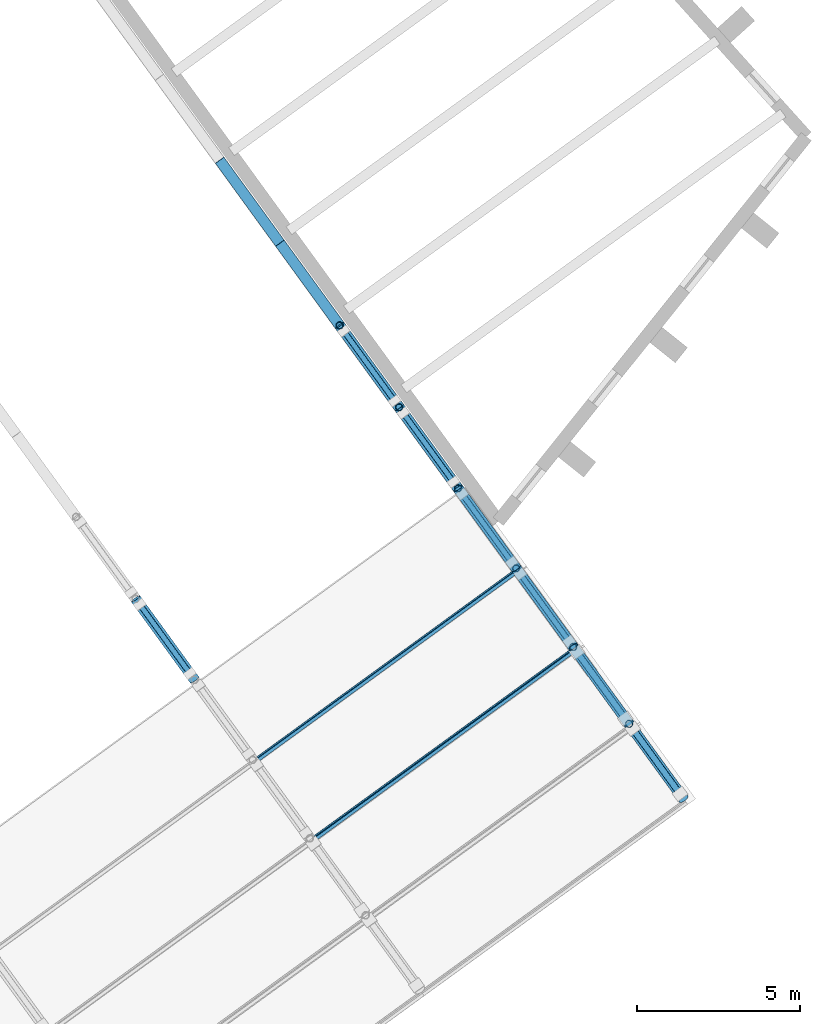
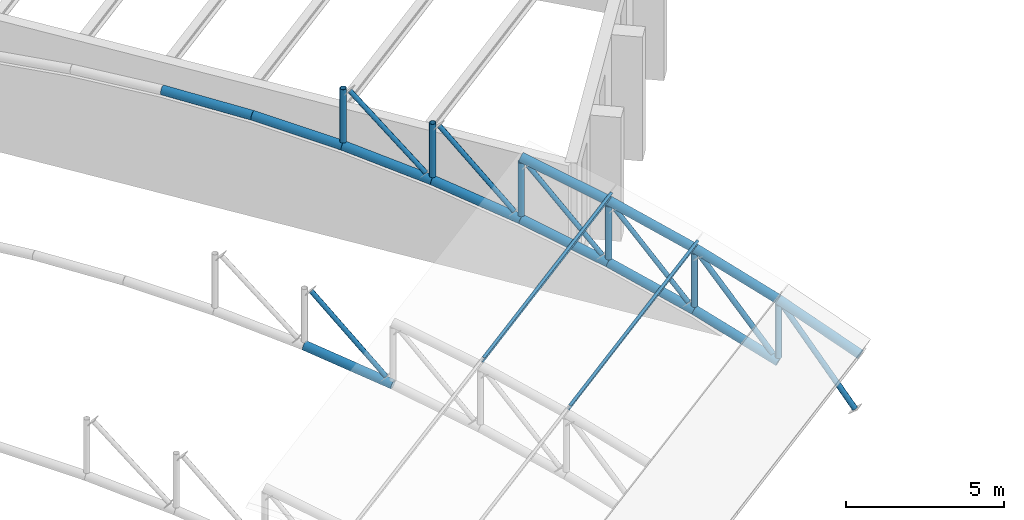
# One storey, part 32 of 69: 25 members, 2 beams.
"""IFC4 building model written with IfcOpenShell, lengths in metres."""

import ifcopenshell
import ifcopenshell.guid

model = None  # the IFC model being written
_history = None  # IfcOwnerHistory: only IFC2X3 demands one
_inside = {}  # id of a spatial element -> (the spatial element, [elements in it])
_under = {}  # id of a project, library or spatial element -> (it, [spatial elements below it])
_declared = {}  # id of a project -> (the project, [libraries it declares])
_typed = {}  # id of a type object -> (the type object, [elements of that type])
_made_of = {}  # id of a material, layer set ... -> (it, [elements and type objects made of it])


def new_model(schema):
    """Start an empty IFC model of exactly this schema.

    Asked for "IFC4X3", IfcOpenShell would pick the latest addendum, in which some entities
    have other attributes; the version numbers below select the first issue.
    IFC2X3 requires an IfcOwnerHistory on every rooted entity: one is made here for all.
    """
    global model, _history
    if schema == "IFC4X3":
        model = ifcopenshell.file(schema_version=(4, 3, 0, 0))
    else:
        model = ifcopenshell.file(schema=schema)
    _inside.clear()
    _under.clear()
    _declared.clear()
    _typed.clear()
    _made_of.clear()
    _history = None
    if model.schema == "IFC2X3":
        org = make("IfcOrganization", Name="unknown")
        user = make(
            "IfcPersonAndOrganization",
            ThePerson=make("IfcPerson", FamilyName="unknown"),
            TheOrganization=org,
        )
        app = make(
            "IfcApplication",
            ApplicationDeveloper=org,
            Version="unknown",
            ApplicationFullName="unknown",
            ApplicationIdentifier="unknown",
        )
        _history = make(
            "IfcOwnerHistory",
            OwningUser=user,
            OwningApplication=app,
            ChangeAction="ADDED",
            CreationDate=0,
        )
    return model


def make(cls, **values):
    """One entity of the class cls with the attributes given. An attribute that is None is left unset."""
    return model.create_entity(
        cls, **{name: value for name, value in values.items() if value is not None}
    )


def rooted(cls, **values):
    """An entity with a GlobalId (a new one), such as an element, a storey or a relation."""
    return make(cls, GlobalId=ifcopenshell.guid.new(), OwnerHistory=_history, **values)


def si_unit(unit_type, name, prefix=None):
    """IfcSIUnit, for example si_unit("LENGTHUNIT", "METRE", prefix="MILLI")."""
    return make("IfcSIUnit", UnitType=unit_type, Prefix=prefix, Name=name)


def assignment(units):
    """IfcUnitAssignment: the units of a project."""
    return None if units is None else make("IfcUnitAssignment", Units=units)


def point(xyz):
    """IfcCartesianPoint."""
    return None if xyz is None else make("IfcCartesianPoint", Coordinates=xyz)


def direction(xyz):
    """IfcDirection."""
    return None if xyz is None else make("IfcDirection", DirectionRatios=xyz)


def frame(location, z_axis=None, x_axis=None):
    """IfcAxis2Placement3D, a coordinate frame: its origin and axes. An axis left out is left unset."""
    return make(
        "IfcAxis2Placement3D",
        Location=point(location),
        Axis=direction(z_axis),
        RefDirection=direction(x_axis),
    )


def frame_2d(location, x_axis=None):
    """IfcAxis2Placement2D, a coordinate frame in the plane: its origin and x axis."""
    return make(
        "IfcAxis2Placement2D", Location=point(location), RefDirection=direction(x_axis)
    )


def origin():
    """The frame at (0, 0, 0) with its axes left unset."""
    return frame((0.0, 0.0, 0.0))


def origin_2d():
    """The frame at (0, 0) in the plane with its x axis left unset."""
    return frame_2d((0.0, 0.0))


def place(relative_to, where):
    """IfcLocalPlacement: puts the frame where relative to a parent placement (None: the world)."""
    return make(
        "IfcLocalPlacement", PlacementRelTo=relative_to, RelativePlacement=where
    )


def context(
    kind, dimensions, precision=None, world=None, true_north=None, identifier=None
):
    """IfcGeometricRepresentationContext, for example the 3D "Model" context."""
    return make(
        "IfcGeometricRepresentationContext",
        ContextIdentifier=identifier,
        ContextType=kind,
        CoordinateSpaceDimension=dimensions,
        Precision=precision,
        WorldCoordinateSystem=world,
        TrueNorth=true_north,
    )


def subcontext(parent, identifier, kind, view, scale=None):
    """IfcGeometricRepresentationSubContext, for example "Body" below "Model"."""
    return make(
        "IfcGeometricRepresentationSubContext",
        ContextIdentifier=identifier,
        ContextType=kind,
        ParentContext=parent,
        TargetScale=scale,
        TargetView=view,
    )


def project(units=None, contexts=None):
    """IfcProject with its units and contexts."""
    return rooted(
        "IfcProject",
        Name="project",
        RepresentationContexts=contexts,
        UnitsInContext=assignment(units),
    )


def spatial(cls, under=None, at=None, **own):
    """A site, building, storey or space (cls), placed at a placement, below another one or the project."""
    s = rooted(cls, ObjectPlacement=at, **own)
    if under is not None:
        _under.setdefault(under.id(), (under, []))[1].append(s)
    return s


def profile(cls, at=None, kind="AREA", **sizes):
    """A parametric profile (cls). Its sizes go by their IFC names, for example OverallWidth=200.0."""
    return make(cls, ProfileType=kind, Position=at, **sizes)


def hollow_circle(**sizes):
    """IfcCircleHollowProfileDef."""
    return profile("IfcCircleHollowProfileDef", **sizes)


def i_section(**sizes):
    """IfcIShapeProfileDef."""
    return profile("IfcIShapeProfileDef", **sizes)


def extrude(swept, where, along, depth):
    """IfcExtrudedAreaSolid: the profile swept, set in the frame where, extruded along a direction by depth."""
    return make(
        "IfcExtrudedAreaSolid",
        SweptArea=swept,
        Position=where,
        ExtrudedDirection=direction(along),
        Depth=depth,
    )


def shape(context_of_items, identifier, shape_type, items):
    """IfcShapeRepresentation: the items that make up one representation, for example the "Body"."""
    return make(
        "IfcShapeRepresentation",
        ContextOfItems=context_of_items,
        RepresentationIdentifier=identifier,
        RepresentationType=shape_type,
        Items=items,
    )


def material(Name=None, Category=None):
    """IfcMaterial."""
    return make("IfcMaterial", Name=Name, Category=Category)


def material_profile(
    of_material, cross_section, Name=None, Category=None, Priority=None
):
    """IfcMaterialProfile: a cross section and its material."""
    return make(
        "IfcMaterialProfile",
        Name=Name,
        Material=of_material,
        Profile=cross_section,
        Priority=Priority,
        Category=Category,
    )


def profile_set(profiles, Name=None, composite=None):
    """IfcMaterialProfileSet."""
    return make(
        "IfcMaterialProfileSet",
        Name=Name,
        MaterialProfiles=profiles,
        CompositeProfile=composite,
    )


def made_of(thing, what):
    """Note that an element or type object is made of a material, layer set ...; save() writes the relation."""
    if what is not None:
        _made_of.setdefault(what.id(), (what, []))[1].append(thing)
    return thing


def type_object(cls, material=None, **own):
    """A type object (cls), such as IfcWallType, which elements share."""
    return made_of(rooted(cls, **own), material)


def element(
    cls,
    number,
    at=None,
    inside=None,
    cuts=None,
    type_object=None,
    material=None,
    context=None,
    identifier="Body",
    shape_type=None,
    held_by="IfcProductDefinitionShape",
    body=None,
    shapes=None,
    **own,
):
    """One element of the class cls, such as IfcWall. Its Tag is "e" and its number.

    at: its placement. inside: the storey or other place that contains it. cuts: it is an
    opening in that element (IfcRelVoidsElement). A single representation is given by context,
    identifier, shape_type and body (its items); several are given by shapes. held_by: the class
    of the entity that holds the representations. save() writes the other relations.
    """
    e = rooted(cls, Tag="e%d" % number, ObjectPlacement=at, **own)
    if body is not None:
        shapes = [shape(context, identifier, shape_type, body)]
    if shapes is not None:
        e.Representation = make(held_by, Representations=shapes)
    if inside is not None:
        _inside.setdefault(inside.id(), (inside, []))[1].append(e)
    if cuts is not None:
        rooted(
            "IfcRelVoidsElement", RelatingBuildingElement=cuts, RelatedOpeningElement=e
        )
    if type_object is not None:
        _typed.setdefault(type_object.id(), (type_object, []))[1].append(e)
    return made_of(e, material)


def aggregate(whole, parts):
    """IfcRelAggregates: a whole, such as a stair, and the parts it consists of."""
    return rooted("IfcRelAggregates", RelatingObject=whole, RelatedObjects=parts)


def save(model, path):
    """Write the relations noted so far, then the file.

    IfcRelAggregates (storeys below a building ...), IfcRelContainedInSpatialStructure (elements
    in a storey), IfcRelDefinesByType, IfcRelAssociatesMaterial and IfcRelDeclares: one each for
    every whole, place, type object, material and project.
    """
    for whole, parts in _under.values():
        aggregate(whole, parts)
    for where, things in _inside.values():
        rooted(
            "IfcRelContainedInSpatialStructure",
            RelatedElements=things,
            RelatingStructure=where,
        )
    for kind, things in _typed.values():
        rooted("IfcRelDefinesByType", RelatedObjects=things, RelatingType=kind)
    for what, things in _made_of.values():
        rooted("IfcRelAssociatesMaterial", RelatedObjects=things, RelatingMaterial=what)
    for by, libraries in _declared.values():
        rooted("IfcRelDeclares", RelatingContext=by, RelatedDefinitions=libraries)
    model.write(path)


model = new_model("IFC4")

# Units and contexts
model_context = context("Model", 3, precision=1e-05, world=origin(), true_north=direction((0.0, 1.0)))
body_context = subcontext(model_context, "Body", "Model", "MODEL_VIEW")
ifc_project = project(units=[si_unit("LENGTHUNIT", "METRE"), si_unit("AREAUNIT", "SQUARE_METRE"), si_unit("VOLUMEUNIT", "CUBIC_METRE"), si_unit("PLANEANGLEUNIT", "RADIAN"), si_unit("MASSUNIT", "GRAM", prefix="KILO")], contexts=[model_context])

# Site, building, storey
site_placement = place(None, origin())
site = spatial("IfcSite", under=ifc_project, at=site_placement, CompositionType="ELEMENT")
building_placement = place(site_placement, origin())
building = spatial("IfcBuilding", under=site, at=building_placement, Name="Okhra Congress Centre", CompositionType="ELEMENT")
storey_placement = place(building_placement, frame((0.0, 0.0, 16.800048828125)))
storey = spatial("IfcBuildingStorey", under=building, at=storey_placement, Name="L03", CompositionType="ELEMENT", Elevation=16.800048828125)

# Members
ifc_material_1 = material(Name="Steel S355J2H", Category="steel")
ifc_material_profile_1 = material_profile(ifc_material_1, hollow_circle(Radius=0.084228515625, WallThickness=0.00634765625, at=origin_2d()), Name="CHS 168.3x6.3")
ifc_profile_set_1 = profile_set([ifc_material_profile_1], Name="Steel S355J2H")
member_type_1 = type_object("IfcMemberType", Name="CHS 168.3x6.3", PredefinedType="BRACE", material=ifc_profile_set_1)
member_1_placement = place(storey_placement, frame((261.56591796875, 197.46630859375, 2.67236328125), z_axis=(-0.418384895313, 0.575888221671, 0.702358053641), x_axis=(-0.809031950979, -0.587764665742, 0.0)))
element("IfcMember", 1, at=member_1_placement, inside=storey, type_object=member_type_1, Name="Truss 6 diagonal 6", PredefinedType="BRACE", context=body_context, shape_type="SweptSolid", body=[
    extrude(hollow_circle(Radius=0.084228515625, WallThickness=0.00634765625, at=origin_2d()), origin(), (0.0, 0.0, 1.0), 3.658203125),
])
member_2_placement = place(storey_placement, frame((273.208740234375, 198.454345703125, 0.876220703125), z_axis=(-0.388305830606, 0.534492302501, 0.750690722258), x_axis=(-0.809035390265, -0.587759931689, 0.0)))
element("IfcMember", 2, at=member_2_placement, inside=storey, type_object=member_type_1, Name="Truss 7 diagonal 4", PredefinedType="BRACE", context=body_context, shape_type="SweptSolid", body=[
    extrude(hollow_circle(Radius=0.084228515625, WallThickness=0.00634765625, at=origin_2d()), origin(), (0.0, 0.0, 1.0), 3.8427734375),
])
member_3_placement = place(storey_placement, frame((271.4482421875, 200.87744140625, 1.861572265625), z_axis=(-0.403551525379, 0.555476805522, 0.727043110752), x_axis=(-0.809034999426, -0.587760469668, 0.0)))
element("IfcMember", 3, at=member_3_placement, inside=storey, type_object=member_type_1, Name="Truss 7 diagonal 5", PredefinedType="BRACE", context=body_context, shape_type="SweptSolid", body=[
    extrude(hollow_circle(Radius=0.084228515625, WallThickness=0.00634765625, at=origin_2d()), origin(), (0.0, 0.0, 1.0), 3.75390625),
])
member_4_placement = place(storey_placement, frame((269.65625, 203.34423828125, 2.67236328125), z_axis=(-0.418439949368, 0.575872140845, 0.702338441331), x_axis=(-0.808987367589, -0.587826027904, 0.0)))
element("IfcMember", 4, at=member_4_placement, inside=storey, type_object=member_type_1, Name="Truss 7 diagonal 6", PredefinedType="BRACE", context=body_context, shape_type="SweptSolid", body=[
    extrude(hollow_circle(Radius=0.084228515625, WallThickness=0.00634765625, at=origin_2d()), origin(), (0.0, 0.0, 1.0), 3.658203125),
])
member_5_placement = place(storey_placement, frame((267.848388671875, 205.83251953125, 3.290283203125), z_axis=(-0.432852970134, 0.595735556437, 0.676562970494), x_axis=(-0.80900036382, -0.587808141607, 0.0)))
element("IfcMember", 5, at=member_5_placement, inside=storey, type_object=member_type_1, Name="Truss 7 diagonal 7", PredefinedType="BRACE", context=body_context, shape_type="SweptSolid", body=[
    extrude(hollow_circle(Radius=0.084228515625, WallThickness=0.00634765625, at=origin_2d()), origin(), (0.0, 0.0, 1.0), 3.579345703125),
])
ifc_material_profile_2 = material_profile(ifc_material_1, hollow_circle(Radius=0.096923828125, WallThickness=0.010009765625, at=origin_2d()), Name="CHS 193.7x10")
ifc_profile_set_2 = profile_set([ifc_material_profile_2], Name="Steel S355J2H")
member_type_2 = type_object("IfcMemberType", Name="CHS 193.7x10", PredefinedType="BRACE", material=ifc_profile_set_2)
member_6_placement = place(storey_placement, frame((276.612548828125, 193.769287109375, -1.60595703125), z_axis=(-0.356733759557, 0.491066127645, 0.794729565998), x_axis=(-0.809053553672, -0.587734929446, 0.0)))
element("IfcMember", 6, at=member_6_placement, inside=storey, type_object=member_type_2, Name="Truss 7 diagonal 2", PredefinedType="BRACE", context=body_context, shape_type="SweptSolid", body=[
    extrude(hollow_circle(Radius=0.096923828125, WallThickness=0.010009765625, at=origin_2d()), origin(), (0.0, 0.0, 1.0), 4.052978515625),
])
member_7_placement = place(storey_placement, frame((274.93212890625, 196.082275390625, -0.28076171875), z_axis=(-0.372740344198, 0.513058131936, 0.773198544399), x_axis=(-0.80903064743, -0.587766460015, 0.0)))
element("IfcMember", 7, at=member_7_placement, inside=storey, type_object=member_type_2, Name="Truss 7 diagonal 3", PredefinedType="BRACE", context=body_context, shape_type="SweptSolid", body=[
    extrude(hollow_circle(Radius=0.096923828125, WallThickness=0.010009765625, at=origin_2d()), origin(), (0.0, 0.0, 1.0), 3.954833984375),
])
ifc_material_profile_3 = material_profile(ifc_material_1, hollow_circle(Radius=0.109619140625, WallThickness=0.008056640625, at=origin_2d()), Name="CHS 219.1x8")
ifc_profile_set_3 = profile_set([ifc_material_profile_3], Name="Steel S355J2H")
member_type_3 = type_object("IfcMemberType", Name="CHS 219.1x8", PredefinedType="POST", material=ifc_profile_set_3)
member_8_placement = place(storey_placement, frame((275.052978515625, 195.916015625, -0.353271484375), z_axis=(0.0, 0.0, 1.0), x_axis=(1.0, 0.0, 0.0)))
element("IfcMember", 8, at=member_8_placement, inside=storey, type_object=member_type_3, Name="Truss 7 post 2", PredefinedType="POST", context=body_context, shape_type="SweptSolid", body=[
    extrude(hollow_circle(Radius=0.109619140625, WallThickness=0.008056640625, at=origin_2d()), origin(), (0.0, 0.0, 1.0), 2.043212890625),
])
member_9_placement = place(storey_placement, frame((273.337158203125, 198.277587890625, 0.80224609375), z_axis=(0.0, 0.0, 1.0), x_axis=(1.0, 0.0, 0.0)))
element("IfcMember", 9, at=member_9_placement, inside=storey, type_object=member_type_3, Name="Truss 7 post 3", PredefinedType="POST", context=body_context, shape_type="SweptSolid", body=[
    extrude(hollow_circle(Radius=0.109619140625, WallThickness=0.008056640625, at=origin_2d()), origin(), (0.0, 0.0, 1.0), 2.05126953125),
])
member_10_placement = place(storey_placement, frame((271.58447265625, 200.68994140625, 1.787109375), z_axis=(0.0, 0.0, 1.0), x_axis=(1.0, 0.0, 0.0)))
element("IfcMember", 10, at=member_10_placement, inside=storey, type_object=member_type_3, Name="Truss 7 post 4", PredefinedType="POST", context=body_context, shape_type="SweptSolid", body=[
    extrude(hollow_circle(Radius=0.109619140625, WallThickness=0.008056640625, at=origin_2d()), origin(), (0.0, 0.0, 1.0), 2.057861328125),
])
member_11_placement = place(storey_placement, frame((269.80126953125, 203.14453125, 2.597412109375), z_axis=(0.0, 0.0, 1.0), x_axis=(1.0, 0.0, 0.0)))
element("IfcMember", 11, at=member_11_placement, inside=storey, type_object=member_type_3, Name="Truss 7 post 5", PredefinedType="POST", context=body_context, shape_type="SweptSolid", body=[
    extrude(hollow_circle(Radius=0.109619140625, WallThickness=0.008056640625, at=origin_2d()), origin(), (0.0, 0.0, 1.0), 2.063232421875),
])
member_12_placement = place(storey_placement, frame((267.992919921875, 205.63330078125, 3.230712890625), z_axis=(0.0, 0.0, 1.0), x_axis=(1.0, 0.0, 0.0)))
element("IfcMember", 12, at=member_12_placement, inside=storey, type_object=member_type_3, Name="Truss 7 post 6", PredefinedType="POST", context=body_context, shape_type="SweptSolid", body=[
    extrude(hollow_circle(Radius=0.109619140625, WallThickness=0.008056640625, at=origin_2d()), origin(), (0.0, 0.0, 1.0), 2.067138671875),
])
member_13_placement = place(storey_placement, frame((266.166259765625, 208.147705078125, 3.6845703125), z_axis=(0.0, 0.0, 1.0), x_axis=(1.0, 0.0, 0.0)))
element("IfcMember", 13, at=member_13_placement, inside=storey, type_object=member_type_3, Name="Truss 7 post 7", PredefinedType="POST", context=body_context, shape_type="SweptSolid", body=[
    extrude(hollow_circle(Radius=0.109619140625, WallThickness=0.008056640625, at=origin_2d()), origin(), (0.0, 0.0, 1.0), 2.06982421875),
])
ifc_material_profile_4 = material_profile(ifc_material_1, hollow_circle(Radius=0.161865234375, WallThickness=0.012451171875, at=origin_2d()), Name="CHS 323.9x12.5")
ifc_profile_set_4 = profile_set([ifc_material_profile_4], Name="Steel S355J2H")
member_type_4 = type_object("IfcMemberType", Name="CHS 323.9x12.5", PredefinedType="CHORD", material=ifc_profile_set_4)
for number, where, z_axis, x_axis, name in (
    (14, (261.7109375, 197.2666015625, 2.428955078125), (-0.575620603169, 0.792313857508, 0.202236674243), (-0.80903112876, -0.587765797488, 0.0), "Truss 6 bottom chord 6"),
    (15, (276.726318359375, 193.61279296875, 0.540771484375), (-0.532714364208, 0.733240051348, 0.42258068255), (-0.809025240298, -0.587773902586, 0.0), "Truss 7 top chord 2"),
    (16, (275.052978515625, 195.916015625, -0.53173828125), (-0.546265295886, 0.751853188262, 0.369203209371), (-0.80901086452, -0.587793689222, 0.0), "Truss 7 bottom chord 3"),
    (17, (275.052978515625, 195.916015625, 1.8681640625), (-0.546249618706, 0.751831610948, 0.369270338428), (-0.80901086452, -0.587793689222, 0.0), "Truss 7 top chord 3"),
):
    element("IfcMember", number, at=place(storey_placement, frame(where, z_axis=z_axis, x_axis=x_axis)), inside=storey, type_object=member_type_4, Name=name, PredefinedType="CHORD", context=body_context, shape_type="SweptSolid", body=[
        extrude(hollow_circle(Radius=0.161865234375, WallThickness=0.012451171875, at=origin_2d()), origin(), (0.0, 0.0, 1.0), 3.14111328125),
    ])
for number, where, z_axis, x_axis, name in (
    (18, (273.337158203125, 198.277587890625, 0.6279296875), (-0.557954547664, 0.767954991708, 0.314534343836), (-0.809015698609, -0.587787035757, 0.0), "Truss 7 bottom chord 4"),
    (19, (273.337158203125, 198.277587890625, 3.028076171875), (-0.557954547664, 0.767954991708, 0.314534343836), (-0.809015698609, -0.587787035757, 0.0), "Truss 7 top chord 4"),
):
    element("IfcMember", number, at=place(storey_placement, frame(where, z_axis=z_axis, x_axis=x_axis)), inside=storey, type_object=member_type_4, Name=name, PredefinedType="CHORD", context=body_context, shape_type="SweptSolid", body=[
        extrude(hollow_circle(Radius=0.161865234375, WallThickness=0.012451171875, at=origin_2d()), origin(), (0.0, 0.0, 1.0), 3.141357421875),
    ])
for number, where, z_axis, x_axis, name in (
    (20, (271.58447265625, 200.68994140625, 1.615966796875), (-0.567721342832, 0.781471848416, 0.258832430398), (-0.809042194464, -0.587750565781, 0.0), "Truss 7 bottom chord 5"),
    (21, (271.58447265625, 200.68994140625, 4.01611328125), (-0.567721342832, 0.781471848416, 0.258832430398), (-0.809042194464, -0.587750565781, 0.0), "Truss 7 top chord 5"),
):
    element("IfcMember", number, at=place(storey_placement, frame(where, z_axis=z_axis, x_axis=x_axis)), inside=storey, type_object=member_type_4, Name=name, PredefinedType="CHORD", context=body_context, shape_type="SweptSolid", body=[
        extrude(hollow_circle(Radius=0.161865234375, WallThickness=0.012451171875, at=origin_2d()), origin(), (0.0, 0.0, 1.0), 3.140869140625),
    ])
member_14_placement = place(storey_placement, frame((269.80126953125, 203.14453125, 2.428955078125), z_axis=(-0.575672570381, 0.792278409945, 0.202227626317), x_axis=(-0.808993389874, -0.587817739729, 0.0)))
element("IfcMember", 22, at=member_14_placement, inside=storey, type_object=member_type_4, Name="Truss 7 bottom chord 6", PredefinedType="CHORD", context=body_context, shape_type="SweptSolid", body=[
    extrude(hollow_circle(Radius=0.161865234375, WallThickness=0.012451171875, at=origin_2d()), origin(), (0.0, 0.0, 1.0), 3.141357421875),
])
for number, where, z_axis, x_axis, name in (
    (23, (267.992919921875, 205.63330078125, 3.064208984375), (-0.581543271945, 0.800496412425, 0.144958326942), (-0.809041704036, -0.587751240858, 0.0), "Truss 7 bottom chord 7"),
    (24, (266.166259765625, 208.147705078125, 3.51953125), (-0.585574378555, 0.805922581794, 0.087128866254), (-0.808999165888, -0.587809790317, 0.0), "Truss 7 bottom chord 8"),
):
    element("IfcMember", number, at=place(storey_placement, frame(where, z_axis=z_axis, x_axis=x_axis)), inside=storey, type_object=member_type_4, Name=name, PredefinedType="CHORD", context=body_context, shape_type="SweptSolid", body=[
        extrude(hollow_circle(Radius=0.161865234375, WallThickness=0.012451171875, at=origin_2d()), origin(), (0.0, 0.0, 1.0), 3.14111328125),
    ])
member_15_placement = place(storey_placement, frame((264.326904296875, 210.67919921875, 3.793212890625), z_axis=(-0.587553427849, 0.808663150366, 0.029066796563), x_axis=(-0.809004978104, -0.587801790915, 0.0)))
element("IfcMember", 25, at=member_15_placement, inside=storey, type_object=member_type_4, Name="Truss 7 bottom chord 9", PredefinedType="CHORD", context=body_context, shape_type="SweptSolid", body=[
    extrude(hollow_circle(Radius=0.161865234375, WallThickness=0.012451171875, at=origin_2d()), origin(), (0.0, 0.0, 1.0), 3.141357421875),
])

# Beams
ifc_material_2 = material(Name="Steel S355J2", Category="steel")
ifc_material_profile_5 = material_profile(ifc_material_2, i_section(OverallWidth=0.10009765625, OverallDepth=0.199951171875, WebThickness=0.005615234375, FlangeThickness=0.008544921875, FilletRadius=0.011962890625, at=origin_2d()), Name="IPE 200")
ifc_profile_set_5 = profile_set([ifc_material_profile_5], Name="Steel S355J2")
beam_type = type_object("IfcBeamType", Name="IPE 200", PredefinedType="BEAM", material=ifc_profile_set_5)
for number, where, z_axis, x_axis, name in (
    (26, (265.299072265625, 192.328125, 3.271240234375), (0.809010490052, 0.58779420462, 0.0), (-0.552345876622, 0.760221187641, 0.342020143326), "Purlin 4.24"),
    (27, (263.5380859375, 194.751953125, 4.26416015625), (0.809010490052, 0.58779420462, 0.0), (-0.563100683425, 0.775023564822, 0.286803232717), "Purlin 5.30"),
):
    element("IfcBeam", number, at=place(storey_placement, frame(where, z_axis=z_axis, x_axis=x_axis)), inside=storey, type_object=beam_type, Name=name, PredefinedType="BEAM", context=body_context, shape_type="SweptSolid", body=[
        extrude(i_section(OverallWidth=0.10009765625, OverallDepth=0.199951171875, WebThickness=0.005615234375, FlangeThickness=0.008544921875, FilletRadius=0.011962890625, at=origin_2d()), origin(), (0.0, 0.0, 1.0), 10.0),
    ])

save(model, "model.ifc")
